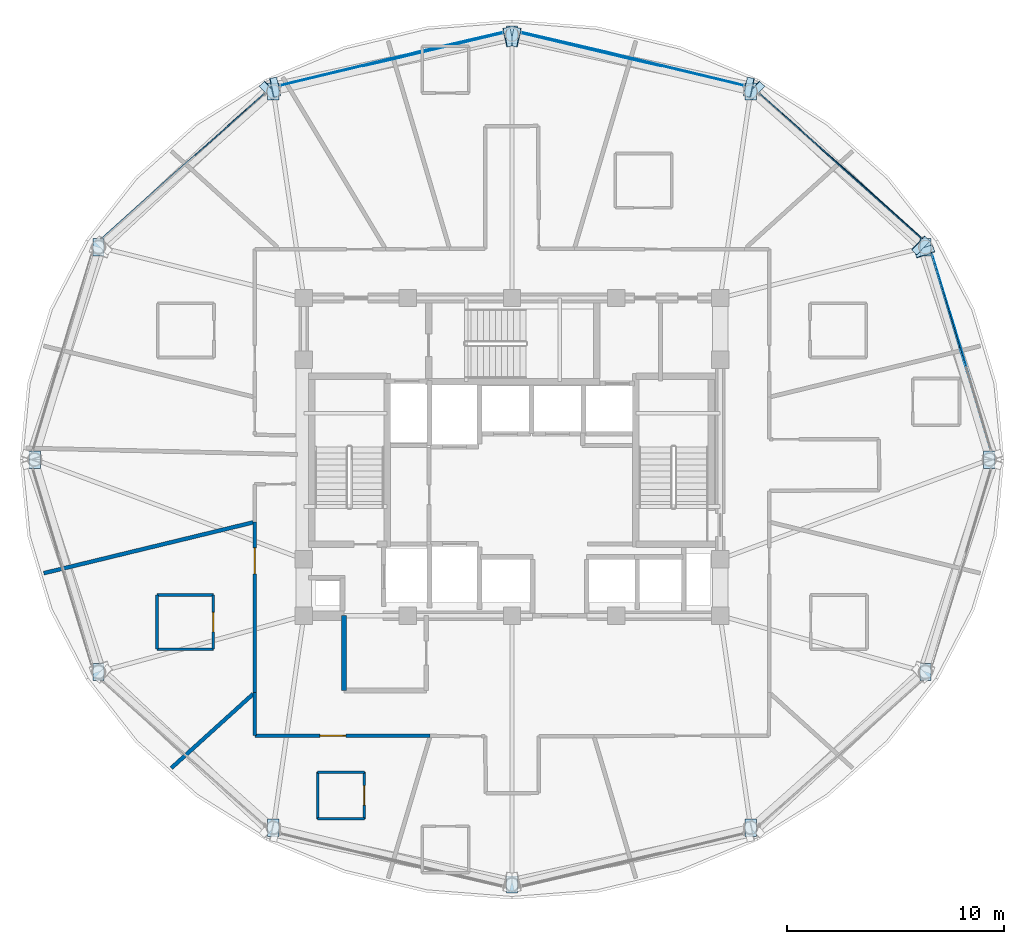
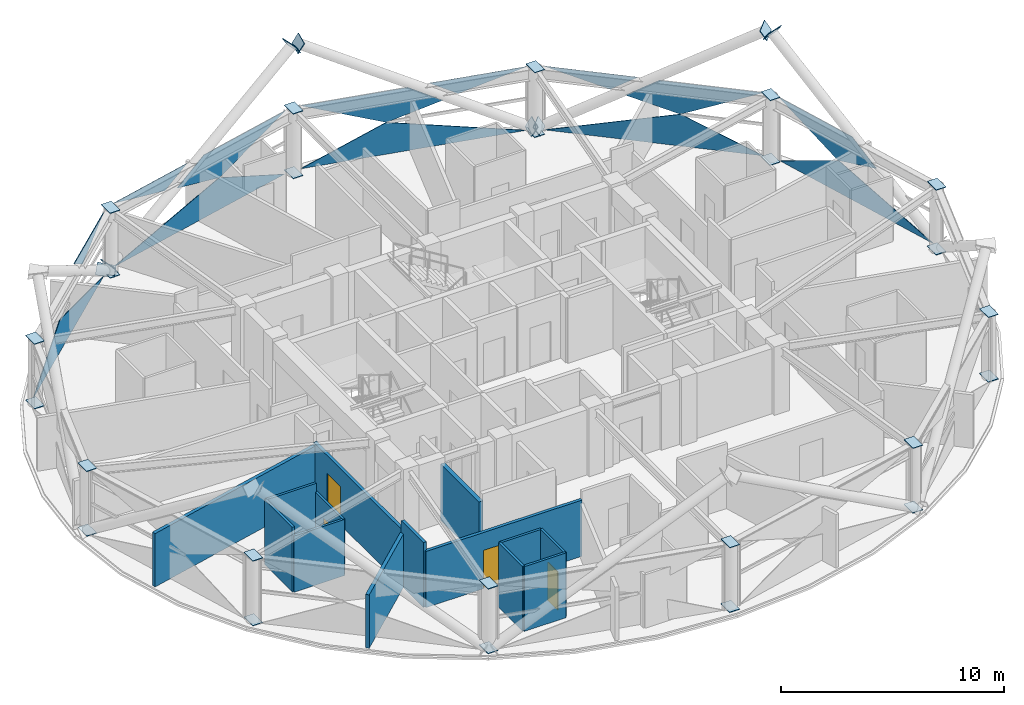
# One storey, part 21 of 29: 45 plates, 14 walls, 4 doors, 4 openings, 5 elements without a shape of their own.
"""IFC4 building model written with IfcOpenShell, lengths in metres."""

from ifc_helpers import new_model, si_unit, direction, frame, frame_2d, origin, place, context, subcontext, project, spatial, polyline, rectangle, outline, extrude, material, layer, layer_set, type_object, element, fill, aggregate, save


model = new_model("IFC4")

# Units and contexts
model_context = context("Model", 3, precision=1e-05, world=origin(), true_north=direction((0.0, 1.0)))
body_context = subcontext(model_context, "Body", "Model", "MODEL_VIEW")
ifc_project = project(units=[si_unit("LENGTHUNIT", "METRE"), si_unit("AREAUNIT", "SQUARE_METRE"), si_unit("VOLUMEUNIT", "CUBIC_METRE"), si_unit("PLANEANGLEUNIT", "RADIAN"), si_unit("MASSUNIT", "GRAM", prefix="KILO")], contexts=[model_context])

# Site, building, storey
site_placement = place(None, origin())
site = spatial("IfcSite", under=ifc_project, at=site_placement, CompositionType="ELEMENT")
building_placement = place(site_placement, origin())
building = spatial("IfcBuilding", under=site, at=building_placement, Name="Vantalir Tower", CompositionType="ELEMENT")
storey_placement = place(building_placement, frame((0.0, 0.0, 227.39990234375)))
storey = spatial("IfcBuildingStorey", under=building, at=storey_placement, Name="L57", CompositionType="ELEMENT", Elevation=227.39990234375)

# Curtain wall, plates
ifc_material_1 = material(Name="Champagne-silver PVDF aluminium and double-silver Low-E glass", Category="aluminium")
ifc_layer_1 = layer(ifc_material_1, 0.2099609375)
ifc_layer_set_1 = layer_set([ifc_layer_1], Name="Champagne-silver PVDF aluminium and double-silver Low-E glass")
curtain_wall_type = type_object("IfcCurtainWallType", Name="CW-DIAMOND-Z3", PredefinedType="USERDEFINED", material=ifc_layer_set_1)
curtain_wall_1_placement = place(storey_placement, origin())
curtain_wall_1 = element("IfcCurtainWall", 1, at=curtain_wall_1_placement, inside=storey, type_object=curtain_wall_type, Name="L57 Quilted Pyramid-Diamond Curtain Wall S01", ObjectType="UNITISED CURTAIN WALL", PredefinedType="USERDEFINED")
ifc_material_2 = material(Name="Double-silver Low-E acoustic glass IGU", Category="glass")
ifc_layer_2 = layer(ifc_material_2, 0.031982421875)
ifc_layer_set_2 = layer_set([ifc_layer_2], Name="Double-silver Low-E acoustic glass IGU")
plate_type_1 = type_object("IfcPlateType", Name="CWP-IGU-32", PredefinedType="CURTAIN_PANEL", material=ifc_layer_set_2)
plate_1_placement = place(storey_placement, frame((53.58056640625, 25.406982421875, 0.046875), z_axis=(-0.957545460034, -0.287948928144, 0.01386025788), x_axis=(-0.287976248669, 0.957637551237, 2.5751252e-05)))
plate_1 = element("IfcPlate", 2, at=plate_1_placement, type_object=plate_type_1, Name="CW-L57-S01 Pyramid Diamond Facet 1L", PredefinedType="CURTAIN_PANEL", context=body_context, shape_type="SweptSolid", body=[
    extrude(outline(polyline([(0.0, 0.0), (9.48072843506402, -3.2255014631443757e-18), (5.873310412618822, -1.725600450684051), (0.0, 0.0)])), origin(), (0.0, 0.0, -1.0), 0.031982421875),
])
plate_2_placement = place(storey_placement, frame((52.14208984375, 30.19091796875, 3.523193359375), z_axis=(0.957546657099, 0.287948373961, 0.013788887243), x_axis=(-0.28797575716, 0.957637699387, 3.77998e-07)))
plate_2 = element("IfcPlate", 3, at=plate_2_placement, type_object=plate_type_1, Name="CW-L57-S01 Pyramid Diamond Facet 2U", PredefinedType="CURTAIN_PANEL", context=body_context, shape_type="SweptSolid", body=[
    extrude(outline(polyline([(0.0, 0.0), (4.4852050235488266, -6.938893903907228e-18), (0.8777419302069833, -1.7257503384835624), (-1.4816241104212386, -1.0323224512100289), (0.0, 0.0)])), origin(), (0.0, 0.0, -1.0), 0.031982421875),
])
aggregate(curtain_wall_1, [plate_1, plate_2])

curtain_wall_2_placement = place(storey_placement, origin())
curtain_wall_2 = element("IfcCurtainWall", 4, at=curtain_wall_2_placement, inside=storey, type_object=curtain_wall_type, Name="L57 Quilted Pyramid-Diamond Curtain Wall S02", ObjectType="UNITISED CURTAIN WALL", PredefinedType="USERDEFINED")
plate_3_placement = place(storey_placement, frame((50.410888671875, 35.17578125, 0.046875), z_axis=(-0.665261450361, -0.746487707124, 0.01353904634), x_axis=(-0.746556353236, 0.66532218575, -2.4328891e-05)))
plate_3 = element("IfcPlate", 5, at=plate_3_placement, type_object=plate_type_1, Name="CW-L57-S02 Pyramid Diamond Facet 1L", PredefinedType="CURTAIN_PANEL", context=body_context, shape_type="SweptSolid", body=[
    extrude(outline(polyline([(0.0, 0.0), (10.035008323591855, -5.421010862427522e-18), (3.8142440704748686, -1.7260810825309927), (0.0, 0.0)])), origin(), (0.0, 0.0, -1.0), 0.031982421875),
])
plate_4_placement = place(storey_placement, frame((50.410888671875, 35.17578125, 3.523193359375), z_axis=(0.665262064196, 0.746486630104, 0.01356823557), x_axis=(-0.746555814047, 0.665322789245, 5.1223741e-05)))
plate_4 = element("IfcPlate", 6, at=plate_4_placement, type_object=plate_type_1, Name="CW-L57-S02 Pyramid Diamond Facet 2U", PredefinedType="CURTAIN_PANEL", context=body_context, shape_type="SweptSolid", body=[
    extrude(outline(polyline([(0.0, 0.0), (4.780694530044122, 5.366800753803247e-18), (6.328498289205483, -1.0284950183738557), (3.814197669569238, -1.7261836133697854), (0.0, 0.0)])), origin(), (0.0, 0.0, -1.0), 0.031982421875),
])
plate_5_placement = place(storey_placement, frame((46.124267578125, 39.044189453125, 3.52392578125), z_axis=(0.665254505204, 0.746492094627, 0.013638033728), x_axis=(-0.746561526571, 0.665316381163, 0.0)))
plate_5 = element("IfcPlate", 7, at=plate_5_placement, type_object=plate_type_1, Name="CW-L57-S02 Pyramid Diamond Facet 2U Infill Light", PredefinedType="CURTAIN_PANEL", context=body_context, shape_type="SweptSolid", body=[
    extrude(outline(polyline([(0.0, 0.0), (4.261071901681196, 3.469446951953614e-18), (1.255429615840343, -0.8340619446847813), (0.0, 0.0)])), origin(), (0.0, 0.0, -1.0), 0.031982421875),
])
aggregate(curtain_wall_2, [plate_3, plate_4, plate_5])

curtain_wall_3_placement = place(storey_placement, origin())
curtain_wall_3 = element("IfcCurtainWall", 8, at=curtain_wall_3_placement, inside=storey, type_object=curtain_wall_type, Name="L57 Quilted Pyramid-Diamond Curtain Wall S03", ObjectType="UNITISED CURTAIN WALL", PredefinedType="USERDEFINED")
plate_6_placement = place(storey_placement, frame((42.188720703125, 42.233642578125, 0.046630859375), z_axis=(-0.232233400525, -0.972562501405, 0.013777827875), x_axis=(-0.972654750392, 0.232255755594, 2.3110025e-05)))
plate_6 = element("IfcPlate", 9, at=plate_6_placement, type_object=plate_type_1, Name="CW-L57-S03 Pyramid Diamond Facet 1L", PredefinedType="CURTAIN_PANEL", context=body_context, shape_type="SweptSolid", body=[
    extrude(outline(polyline([(0.0, 0.0), (10.56427331575007, 4.363913744254155e-18), (6.544886132642092, -1.726330968572304), (0.0, 0.0)])), origin(), (0.0, 0.0, -1.0), 0.031982421875),
])
plate_7_placement = place(storey_placement, frame((36.79296875, 43.522216796875, 3.5234375), z_axis=(0.232205460143, 0.972570124349, 0.013710488852), x_axis=(-0.972661547861, 0.232227288047, -9.409e-09)))
plate_7 = element("IfcPlate", 10, at=plate_7_placement, type_object=plate_type_1, Name="CW-L57-S03 Pyramid Diamond Facet 2U", PredefinedType="CURTAIN_PANEL", context=body_context, shape_type="SweptSolid", body=[
    extrude(outline(polyline([(0.0, 0.0), (5.016790765538966, 0.0), (0.997363013564254, -1.726480627377524), (-1.6351668089487708, -1.0318353293099114), (0.0, 0.0)])), origin(), (0.0, 0.0, -1.0), 0.031982421875),
])
plate_8_placement = place(storey_placement, frame((42.197021484375, 42.268798828125, 3.524169921875), z_axis=(0.232223843527, 0.97256551414, 0.013726150325), x_axis=(-0.972656972527, 0.232246444263, -5.4048509e-05)))
plate_8 = element("IfcPlate", 11, at=plate_8_placement, type_object=plate_type_1, Name="CW-L57-S03 Pyramid Diamond Facet 2U Infill Light", PredefinedType="CURTAIN_PANEL", context=body_context, shape_type="SweptSolid", body=[
    extrude(outline(polyline([(0.0, 0.0), (4.517064917638603, 9.215718466126788e-19), (3.185276819383623, -0.8402390302850273), (0.0, 0.0)])), origin(), (0.0, 0.0, -1.0), 0.031982421875),
])
aggregate(curtain_wall_3, [plate_6, plate_7, plate_8])

curtain_wall_4_placement = place(storey_placement, origin())
curtain_wall_4 = element("IfcCurtainWall", 12, at=curtain_wall_4_placement, inside=storey, type_object=curtain_wall_type, Name="L57 Quilted Pyramid-Diamond Curtain Wall S04", ObjectType="UNITISED CURTAIN WALL", PredefinedType="USERDEFINED")
plate_9_placement = place(storey_placement, frame((31.086669921875, 44.687255859375, 0.046875), z_axis=(0.232254227712, -0.972557284976, 0.013794968273), x_axis=(-0.972649763247, -0.232276640068, -2.3112103e-05)))
plate_9 = element("IfcPlate", 13, at=plate_9_placement, type_object=plate_type_1, Name="CW-L57-S04 Pyramid Diamond Facet 1L", PredefinedType="CURTAIN_PANEL", context=body_context, shape_type="SweptSolid", body=[
    extrude(outline(polyline([(0.0, 0.0), (10.563323460030409, -3.984442983884229e-18), (4.01914920456748, -1.7263313794420976), (0.0, 0.0)])), origin(), (0.0, 0.0, -1.0), 0.031982421875),
])
plate_10_placement = place(storey_placement, frame((31.086669921875, 44.687255859375, 3.5234375), z_axis=(-0.232225156725, 0.972565123829, 0.013731587483), x_axis=(-0.972656828404, -0.232247054147, 4.0776e-08)))
plate_10 = element("IfcPlate", 14, at=plate_10_placement, type_object=plate_type_1, Name="CW-L57-S04 Pyramid Diamond Facet 2U", PredefinedType="CURTAIN_PANEL", context=body_context, shape_type="SweptSolid", body=[
    extrude(outline(polyline([(0.0, 0.0), (5.016315834481026, -1.734723475976807e-18), (6.651482323168929, -1.0318358367307474), (4.019189750985949, -1.7264810960017063), (0.0, 0.0)])), origin(), (0.0, 0.0, -1.0), 0.031982421875),
])
plate_11_placement = place(storey_placement, frame((25.197021484375, 43.31787109375, 3.52392578125), z_axis=(-0.23224835199, 0.972560052169, 0.013698464249), x_axis=(-0.972651141026, -0.232270865455, 5.4054193e-05)))
plate_11 = element("IfcPlate", 15, at=plate_11_placement, type_object=plate_type_1, Name="CW-L57-S04 Pyramid Diamond Facet 2U Infill Light", PredefinedType="CURTAIN_PANEL", context=body_context, shape_type="SweptSolid", body=[
    extrude(outline(polyline([(0.0, 0.0), (4.5165899888998675, -7.047314121155779e-19), (1.3315503398284894, -0.8402387059536571), (0.0, 0.0)])), origin(), (0.0, 0.0, -1.0), 0.031982421875),
])
aggregate(curtain_wall_4, [plate_9, plate_10, plate_11])

curtain_wall_5_placement = place(storey_placement, origin())
curtain_wall_5 = element("IfcCurtainWall", 16, at=curtain_wall_5_placement, inside=storey, type_object=curtain_wall_type, Name="L57 Quilted Pyramid-Diamond Curtain Wall S05", ObjectType="UNITISED CURTAIN WALL", PredefinedType="USERDEFINED")
plate_12_placement = place(storey_placement, frame((20.081787109375, 41.852294921875, 0.046630859375), z_axis=(0.665212679287, -0.746530278981, 0.01358800501), x_axis=(-0.746599425628, -0.665273851178, 2.4327124e-05)))
plate_12 = element("IfcPlate", 17, at=plate_12_placement, type_object=plate_type_1, Name="CW-L57-S05 Pyramid Diamond Facet 1L", PredefinedType="CURTAIN_PANEL", context=body_context, shape_type="SweptSolid", body=[
    extrude(outline(polyline([(0.0, 0.0), (10.035737403562766, -2.846030702774449e-18), (6.2213125757566905, -1.7260822266056934), (0.0, 0.0)])), origin(), (0.0, 0.0, -1.0), 0.031982421875),
])
plate_13_placement = place(storey_placement, frame((20.057861328125, 41.879150390625, 3.52392578125), z_axis=(-0.665225528264, 0.746516866931, 0.013695398269), x_axis=(-0.746586886601, -0.6652879232, 0.0)))
plate_13 = element("IfcPlate", 18, at=plate_13_placement, type_object=plate_type_1, Name="CW-L57-S05 Pyramid Diamond Facet 2U Infill Light", PredefinedType="CURTAIN_PANEL", context=body_context, shape_type="SweptSolid", body=[
    extrude(outline(polyline([(0.0, 0.0), (4.2612541707746665, 0.0), (3.0058249894380205, -0.8340625986991561), (0.0, 0.0)])), origin(), (0.0, 0.0, -1.0), 0.031982421875),
])
aggregate(curtain_wall_5, [plate_12, plate_13])

# Plates
ifc_material_3 = material(Name="Steel S460", Category="steel")
ifc_layer_3 = layer(ifc_material_3, 0.035888671875)
ifc_layer_set_3 = layer_set([ifc_layer_3], Name="Steel S460")
plate_type_2 = type_object("IfcPlateType", Name="PLT-KN-Z2", PredefinedType="USERDEFINED", material=ifc_layer_set_3)
plate_14_placement = place(storey_placement, frame((50.88818359375, 34.906982421875, 6.892333984375), z_axis=(-0.257750888364, 0.779172738501, 0.571361814549), x_axis=(-0.949402175755, -0.314062905597, 0.0)))
element("IfcPlate", 19, at=plate_14_placement, inside=storey, type_object=plate_type_2, Name="Node Cap Plate MEM-DG-L57-R01L End", ObjectType="FLANGE_PLATE", PredefinedType="USERDEFINED", context=body_context, shape_type="SweptSolid", body=[
    extrude(outline(polyline([(0.0, 0.0), (0.8799739879318283, -2.7755575615628914e-17), (0.8800671906768364, 0.5800843340228916), (9.320274500808357e-05, 0.5800843340228916), (0.0, 0.0)])), origin(), (0.0, 0.0, -1.0), 0.035888671875),
])
plate_15_placement = place(storey_placement, frame((42.354736328125, 42.63818359375, -0.043701171875), z_axis=(-0.826999706118, 0.177884726798, 0.533318394631), x_axis=(-0.210286865071, -0.977639726269, 0.0)))
element("IfcPlate", 20, at=plate_15_placement, inside=storey, type_object=plate_type_2, Name="Node Cap Plate MEM-DG-L57-R07L Start", ObjectType="FLANGE_PLATE", PredefinedType="USERDEFINED", context=body_context, shape_type="SweptSolid", body=[
    extrude(outline(polyline([(0.0, 0.0), (0.8800292575914275, 0.0), (0.879908833119745, 0.5801089888917188), (-0.00012042447168256925, 0.5801089888917188), (0.0, 0.0)])), origin(), (0.0, 0.0, -1.0), 0.035888671875),
])
plate_16_placement = place(storey_placement, frame((31.60009765625, 44.951416015625, 6.892333984375), z_axis=(-0.826974999812, 0.177904654422, 0.533350057299), x_axis=(-0.210323501094, -0.977631845182, -1.3165289e-05)))
element("IfcPlate", 21, at=plate_16_placement, inside=storey, type_object=plate_type_2, Name="Node Cap Plate MEM-DG-L57-R07L End", ObjectType="FLANGE_PLATE", PredefinedType="USERDEFINED", context=body_context, shape_type="SweptSolid", body=[
    extrude(outline(polyline([(0.0, 0.0), (0.8797905772475425, 0.0), (0.879890778072063, 0.5801363738457217), (-0.0001384788251822281, 0.5801089844563846), (0.0, 0.0)])), origin(), (0.0, 0.0, -1.0), 0.035888671875),
])
for number, where, z_axis, x_axis, name in (
    (22, (42.556884765625, 41.574462890625, -0.035400390625), (0.607981473894, -0.569606977823, 0.553088074557), (0.683701112547, 0.729762145292, 0.0), "Node Cap Plate MEM-DG-L57-R07R Start"),
    (23, (50.172607421875, 34.439697265625, 6.892333984375), (0.607981473894, -0.569606977823, 0.553088074557), (0.683701112547, 0.729762145292, 0.0), "Node Cap Plate MEM-DG-L57-R07R End"),
):
    element("IfcPlate", number, at=place(storey_placement, frame(where, z_axis=z_axis, x_axis=x_axis)), inside=storey, type_object=plate_type_2, Name=name, ObjectType="FLANGE_PLATE", PredefinedType="USERDEFINED", context=body_context, shape_type="SweptSolid", body=[
        extrude(outline(polyline([(0.0, 0.0), (0.8798618123621171, 2.7755575615628914e-17), (0.8797780817808971, 0.5799316777475564), (-8.373058122002064e-05, 0.5799316777475564), (0.0, 0.0)])), origin(), (0.0, 0.0, -1.0), 0.035888671875),
    ])
plate_17_placement = place(storey_placement, frame((19.842529296875, 42.216552734375, -0.035400390625), z_axis=(-0.607981473894, -0.569606977823, 0.553088074557), x_axis=(0.683701112547, -0.729762145292, 0.0)))
element("IfcPlate", 24, at=plate_17_placement, inside=storey, type_object=plate_type_2, Name="Node Cap Plate MEM-DG-L57-R13L Start", ObjectType="FLANGE_PLATE", PredefinedType="USERDEFINED", context=body_context, shape_type="SweptSolid", body=[
    extrude(outline(polyline([(0.0, 0.0), (0.8798618123621171, -2.7755575615628914e-17), (0.8799455429433372, 0.5799316777475563), (8.373058122002064e-05, 0.5799316777475564), (0.0, 0.0)])), origin(), (0.0, 0.0, -1.0), 0.035888671875),
])
plate_18_placement = place(storey_placement, frame((20.831298828125, 41.77783203125, -0.043701171875), z_axis=(0.826999706118, 0.177884726798, 0.533318394631), x_axis=(-0.210286865071, 0.977639726269, 0.0)))
element("IfcPlate", 25, at=plate_18_placement, inside=storey, type_object=plate_type_2, Name="Node Cap Plate MEM-DG-L57-R13R Start", ObjectType="FLANGE_PLATE", PredefinedType="USERDEFINED", context=body_context, shape_type="SweptSolid", body=[
    extrude(outline(polyline([(0.0, 0.0), (0.8800292575914275, 0.0), (0.8801496820631101, 0.5801089888917188), (0.00012042447168256925, 0.5801089888917188), (0.0, 0.0)])), origin(), (0.0, 0.0, -1.0), 0.035888671875),
])
plate_19_placement = place(storey_placement, frame((31.5849609375, 44.09130859375, 6.892333984375), z_axis=(0.826974999812, 0.177904654422, 0.533350057299), x_axis=(-0.210323501094, 0.977631845182, 1.3165289e-05)))
element("IfcPlate", 26, at=plate_19_placement, inside=storey, type_object=plate_type_2, Name="Node Cap Plate MEM-DG-L57-R13R End", ObjectType="FLANGE_PLATE", PredefinedType="USERDEFINED", context=body_context, shape_type="SweptSolid", body=[
    extrude(outline(polyline([(0.0, 0.0), (0.8797905772475425, 0.0), (0.8799290560727246, 0.5801089844563847), (-0.000100200824520458, 0.5801363738457217), (0.0, 0.0)])), origin(), (0.0, 0.0, -1.0), 0.035888671875),
])
ifc_layer_4 = layer(ifc_material_3, 0.031982421875)
ifc_layer_set_4 = layer_set([ifc_layer_4], Name="Steel S460")
plate_type_3 = type_object("IfcPlateType", Name="PLT-KN-Z3", PredefinedType="USERDEFINED", material=ifc_layer_set_4)
for number, where, z_axis, x_axis, name in (
    (27, (53.2529296875, 25.39990234375, 3.593994140625), (0.0, 0.0, 1.0), (0.0, -1.0, 0.0), "L57 Ring Column Top Cap RC01"),
    (28, (53.2529296875, 25.39990234375, 0.052978515625), (0.0, 0.0, 1.0), (0.0, -1.0, 0.0), "L57 Ring Column Base Cap RC01"),
):
    element("IfcPlate", number, at=place(storey_placement, frame(where, z_axis=z_axis, x_axis=x_axis)), inside=storey, type_object=plate_type_3, Name=name, ObjectType="FLANGE_PLATE", PredefinedType="USERDEFINED", context=body_context, shape_type="SweptSolid", body=[
        extrude(outline(polyline([(0.0, 0.0), (0.7998046875, 0.0), (0.7998046875, 0.52001953125), (0.0, 0.52001953125), (0.0, 0.0)])), origin(), (0.0, 0.0, -1.0), 0.031982421875),
    ])
for number, where, z_axis, x_axis, name in (
    (29, (50.303955078125, 35.197998046875, 3.593994140625), (0.0, 0.0, 1.0), (0.0, -1.0, 0.0), "L57 Ring Column Top Cap RC02"),
    (30, (50.303955078125, 35.197998046875, 0.052978515625), (0.0, 0.0, 1.0), (0.0, -1.0, 0.0), "L57 Ring Column Base Cap RC02"),
    (31, (42.24609375, 42.37109375, 3.593994140625), (0.0, 0.0, 1.0), (0.0, -1.0, 0.0), "L57 Ring Column Top Cap RC03"),
    (32, (42.24609375, 42.37109375, 0.052978515625), (0.0, 0.0, 1.0), (0.0, -1.0, 0.0), "L57 Ring Column Base Cap RC03"),
    (33, (31.239990234375, 44.99609375, 3.593994140625), (0.0, 0.0, 1.0), (0.0, -1.0, 0.0), "L57 Ring Column Top Cap RC04"),
    (34, (31.239990234375, 44.99609375, 0.052978515625), (0.0, 0.0, 1.0), (0.0, -1.0, 0.0), "L57 Ring Column Base Cap RC04"),
    (35, (20.23388671875, 42.37109375, 3.593994140625), (0.0, 0.0, 1.0), (0.0, -1.0, 0.0), "L57 Ring Column Top Cap RC05"),
    (36, (20.23388671875, 42.37109375, 0.052978515625), (0.0, 0.0, 1.0), (0.0, -1.0, 0.0), "L57 Ring Column Base Cap RC05"),
    (37, (12.176025390625, 35.197998046875, 3.593994140625), (0.0, 0.0, 1.0), (0.0, -1.0, 0.0), "L57 Ring Column Top Cap RC06"),
    (38, (12.176025390625, 35.197998046875, 0.052978515625), (0.0, 0.0, 1.0), (0.0, -1.0, 0.0), "L57 Ring Column Base Cap RC06"),
):
    element("IfcPlate", number, at=place(storey_placement, frame(where, z_axis=z_axis, x_axis=x_axis)), inside=storey, type_object=plate_type_3, Name=name, ObjectType="FLANGE_PLATE", PredefinedType="USERDEFINED", context=body_context, shape_type="SweptSolid", body=[
        extrude(outline(polyline([(0.0, 0.0), (0.800048828125, 0.0), (0.800048828125, 0.52001953125), (0.0, 0.52001953125), (0.0, 0.0)])), origin(), (0.0, 0.0, -1.0), 0.031982421875),
    ])
for number, where, z_axis, x_axis, name in (
    (39, (9.22705078125, 25.39990234375, 3.593994140625), (0.0, 0.0, 1.0), (0.0, -1.0, 0.0), "L57 Ring Column Top Cap RC07"),
    (40, (9.22705078125, 25.39990234375, 0.052978515625), (0.0, 0.0, 1.0), (0.0, -1.0, 0.0), "L57 Ring Column Base Cap RC07"),
):
    element("IfcPlate", number, at=place(storey_placement, frame(where, z_axis=z_axis, x_axis=x_axis)), inside=storey, type_object=plate_type_3, Name=name, ObjectType="FLANGE_PLATE", PredefinedType="USERDEFINED", context=body_context, shape_type="SweptSolid", body=[
        extrude(outline(polyline([(0.0, 0.0), (0.7998046875, 0.0), (0.7998046875, 0.52001953125), (0.0, 0.52001953125), (0.0, 0.0)])), origin(), (0.0, 0.0, -1.0), 0.031982421875),
    ])
for number, where, z_axis, x_axis, name in (
    (41, (12.176025390625, 15.60205078125, 3.593994140625), (0.0, 0.0, 1.0), (0.0, -1.0, 0.0), "L57 Ring Column Top Cap RC08"),
    (42, (12.176025390625, 15.60205078125, 0.052978515625), (0.0, 0.0, 1.0), (0.0, -1.0, 0.0), "L57 Ring Column Base Cap RC08"),
    (43, (20.23291015625, 8.428955078125, 3.593994140625), (0.0, 0.0, 1.0), (0.0, -1.0, 0.0), "L57 Ring Column Top Cap RC09"),
    (44, (20.23291015625, 8.428955078125, 0.052978515625), (0.0, 0.0, 1.0), (0.0, -1.0, 0.0), "L57 Ring Column Base Cap RC09"),
    (45, (31.239990234375, 5.803955078125, 3.593994140625), (0.0, 0.0, 1.0), (0.0, -1.0, 0.0), "L57 Ring Column Top Cap RC10"),
    (46, (31.239990234375, 5.803955078125, 0.052978515625), (0.0, 0.0, 1.0), (0.0, -1.0, 0.0), "L57 Ring Column Base Cap RC10"),
    (47, (42.24609375, 8.428955078125, 3.593994140625), (0.0, 0.0, 1.0), (0.0, -1.0, 0.0), "L57 Ring Column Top Cap RC11"),
    (48, (42.24609375, 8.428955078125, 0.052978515625), (0.0, 0.0, 1.0), (0.0, -1.0, 0.0), "L57 Ring Column Base Cap RC11"),
    (49, (50.303955078125, 15.60205078125, 3.593994140625), (0.0, 0.0, 1.0), (0.0, -1.0, 0.0), "L57 Ring Column Top Cap RC12"),
    (50, (50.303955078125, 15.60205078125, 0.052978515625), (0.0, 0.0, 1.0), (0.0, -1.0, 0.0), "L57 Ring Column Base Cap RC12"),
):
    element("IfcPlate", number, at=place(storey_placement, frame(where, z_axis=z_axis, x_axis=x_axis)), inside=storey, type_object=plate_type_3, Name=name, ObjectType="FLANGE_PLATE", PredefinedType="USERDEFINED", context=body_context, shape_type="SweptSolid", body=[
        extrude(outline(polyline([(0.0, 0.0), (0.800048828125, 0.0), (0.800048828125, 0.52001953125), (0.0, 0.52001953125), (0.0, 0.0)])), origin(), (0.0, 0.0, -1.0), 0.031982421875),
    ])

# Walls
ifc_material_4 = material(Name="Moisture-resistant en-suite partition", Category="gypsum")
ifc_layer_5 = layer(ifc_material_4, 0.125)
ifc_layer_set_5 = layer_set([ifc_layer_5], Name="Moisture-resistant en-suite partition")
wall_type_1 = type_object("IfcWallType", Name="WL-BATH-125", PredefinedType="PARTITIONING", material=ifc_layer_set_5)
wall_1_placement = place(storey_placement, frame((15.125, 16.256103515625, 0.0), z_axis=(0.0, 0.0, 1.0), x_axis=(1.0, 0.0, 0.0)))
element("IfcWall", 51, at=wall_1_placement, inside=storey, type_object=wall_type_1, Name="L57 En-suite 09 South Wall", PredefinedType="PARTITIONING", context=body_context, shape_type="SweptSolid", body=[
    extrude(rectangle(XDim=2.60009765625, YDim=0.125, at=frame_2d((1.300048828125, 0.0))), origin(), (0.0, 0.0, 1.0), 3.0810546875),
])
wall_2_placement = place(storey_placement, frame((15.125, 18.756103515625, 0.0), z_axis=(0.0, 0.0, 1.0), x_axis=(1.0, 0.0, 0.0)))
element("IfcWall", 52, at=wall_2_placement, inside=storey, type_object=wall_type_1, Name="L57 En-suite 09 North Wall", PredefinedType="PARTITIONING", context=body_context, shape_type="SweptSolid", body=[
    extrude(rectangle(XDim=2.60009765625, YDim=0.125, at=frame_2d((1.300048828125, 0.0))), origin(), (0.0, 0.0, 1.0), 3.550048828125),
])
wall_3_placement = place(storey_placement, frame((15.125, 16.256103515625, 0.0), z_axis=(0.0, 0.0, 1.0), x_axis=(0.0, 1.0, 0.0)))
element("IfcWall", 53, at=wall_3_placement, inside=storey, type_object=wall_type_1, Name="L57 En-suite 09 West Wall", PredefinedType="PARTITIONING", context=body_context, shape_type="SweptSolid", body=[
    extrude(rectangle(XDim=2.5, YDim=0.125, at=frame_2d((1.25, 0.0))), origin(), (0.0, 0.0, 1.0), 3.550048828125),
])

# Wall, opening, door
wall_4_placement = place(storey_placement, frame((17.72509765625, 16.256103515625, 0.0), z_axis=(0.0, 0.0, 1.0), x_axis=(0.0, 1.0, 0.0)))
wall_4 = element("IfcWall", 54, at=wall_4_placement, inside=storey, type_object=wall_type_1, Name="L57 En-suite 09 East Wall", PredefinedType="PARTITIONING", context=body_context, shape_type="SweptSolid", body=[
    extrude(rectangle(XDim=2.5, YDim=0.125, at=frame_2d((1.25, 0.0))), origin(), (0.0, 0.0, 1.0), 3.0810546875),
])
opening_1_placement = place(wall_4_placement, frame((0.800048828125, 0.0, 0.0)))
opening_1 = element("IfcOpeningElement", 55, at=opening_1_placement, cuts=wall_4, Name="Opening D-WC", PredefinedType="OPENING", context=body_context, shape_type="SweptSolid", body=[
    extrude(rectangle(XDim=0.89990234375, YDim=2.10009765625, at=frame_2d((0.449951171875, 1.050048828125))), frame((0.0, 0.072509765625, 0.0), z_axis=(0.0, -1.0, 0.0), x_axis=(1.0, 0.0, 0.0)), (0.0, 0.0, 1.0), 0.14501953125),
])
ifc_material_5 = material(Name="Moisture-resistant hardwood door", Category="wood")
door_type_1 = type_object("IfcDoorType", Name="DR-ENSUITE-900", OperationType="NOTDEFINED", PredefinedType="DOOR", material=ifc_material_5)
door_1_placement = place(opening_1_placement, origin())
door_1 = element("IfcDoor", 56, at=door_1_placement, inside=storey, type_object=door_type_1, Name="L57 En-suite 09 Door", OperationType="SINGLE_SWING_LEFT", OverallHeight=2.10009765625, OverallWidth=0.89990234375, PredefinedType="DOOR", context=body_context, shape_type="SweptSolid", body=[
    extrude(rectangle(XDim=0.89990234375, YDim=2.10009765625, at=frame_2d((0.449951171875, 1.050048828125))), frame((0.0, 0.02490234375, 0.0), z_axis=(0.0, -1.0, 0.0), x_axis=(1.0, 0.0, 0.0)), (0.0, 0.0, 1.0), 0.050048828125),
])
fill(opening_1, door_1)

# Walls
for number, where, z_axis, x_axis, name in (
    (57, (22.5400390625, 8.43603515625, 0.0), (0.0, 0.0, 1.0), (1.0, 0.0, 0.0), "L57 En-suite 10 South Wall"),
    (58, (22.5400390625, 10.5859375, 0.0), (0.0, 0.0, 1.0), (1.0, 0.0, 0.0), "L57 En-suite 10 North Wall"),
    (59, (22.5400390625, 8.43603515625, 0.0), (0.0, 0.0, 1.0), (0.0, 1.0, 0.0), "L57 En-suite 10 West Wall"),
):
    element("IfcWall", number, at=place(storey_placement, frame(where, z_axis=z_axis, x_axis=x_axis)), inside=storey, type_object=wall_type_1, Name=name, PredefinedType="PARTITIONING", context=body_context, shape_type="SweptSolid", body=[
        extrude(rectangle(XDim=2.14990234375, YDim=0.125, at=frame_2d((1.074951171875, 0.0))), origin(), (0.0, 0.0, 1.0), 3.550048828125),
    ])

# Wall, opening, door
wall_5_placement = place(storey_placement, frame((24.68994140625, 8.43603515625, 0.0), z_axis=(0.0, 0.0, 1.0), x_axis=(0.0, 1.0, 0.0)))
wall_5 = element("IfcWall", 60, at=wall_5_placement, inside=storey, type_object=wall_type_1, Name="L57 En-suite 10 East Wall", PredefinedType="PARTITIONING", context=body_context, shape_type="SweptSolid", body=[
    extrude(rectangle(XDim=2.14990234375, YDim=0.125, at=frame_2d((1.074951171875, 0.0))), origin(), (0.0, 0.0, 1.0), 3.550048828125),
])
opening_2_placement = place(wall_5_placement, frame((0.625, 0.0, 0.0)))
opening_2 = element("IfcOpeningElement", 61, at=opening_2_placement, cuts=wall_5, Name="Opening D-WC", PredefinedType="OPENING", context=body_context, shape_type="SweptSolid", body=[
    extrude(rectangle(XDim=0.89990234375, YDim=2.10009765625, at=frame_2d((0.449951171875, 1.050048828125))), frame((0.0, 0.072509765625, 0.0), z_axis=(0.0, -1.0, 0.0), x_axis=(1.0, 0.0, 0.0)), (0.0, 0.0, 1.0), 0.14501953125),
])
door_2_placement = place(opening_2_placement, origin())
door_2 = element("IfcDoor", 62, at=door_2_placement, inside=storey, type_object=door_type_1, Name="L57 En-suite 10 Door", OperationType="SINGLE_SWING_RIGHT", OverallHeight=2.10009765625, OverallWidth=0.89990234375, PredefinedType="DOOR", context=body_context, shape_type="SweptSolid", body=[
    extrude(rectangle(XDim=0.89990234375, YDim=2.10009765625, at=frame_2d((0.449951171875, 1.050048828125))), frame((0.0, 0.02490234375, 0.0), z_axis=(0.0, -1.0, 0.0), x_axis=(1.0, 0.0, 0.0)), (0.0, 0.0, 1.0), 0.050048828125),
])
fill(opening_2, door_2)

ifc_material_6 = material(Name="Fire-rated hotel corridor acoustic partition", Category="gypsum")
ifc_layer_6 = layer(ifc_material_6, 0.159912109375)
ifc_layer_set_6 = layer_set([ifc_layer_6], Name="Fire-rated hotel corridor acoustic partition")
wall_type_2 = type_object("IfcWallType", Name="WL-CORR-160", PredefinedType="PARTITIONING", material=ifc_layer_set_6)
wall_6_placement = place(storey_placement, frame((27.72802734375, 12.2548828125, 0.0), z_axis=(0.0, 0.0, 1.0), x_axis=(-0.999998015551, 0.001992208308, 0.0)))
wall_6 = element("IfcWall", 63, at=wall_6_placement, inside=storey, type_object=wall_type_2, Name="L57 Corridor Partition 28", PredefinedType="PARTITIONING", context=body_context, shape_type="SweptSolid", body=[
    extrude(rectangle(XDim=8.088134765625, YDim=0.159912109375, at=frame_2d((4.0439453125, 0.0))), origin(), (0.0, 0.0, 1.0), 3.0810546875),
])
opening_3_placement = place(wall_6_placement, frame((3.89208984375, 0.0, 0.0)))
opening_3 = element("IfcOpeningElement", 64, at=opening_3_placement, cuts=wall_6, Name="Opening D-STE", PredefinedType="OPENING", context=body_context, shape_type="SweptSolid", body=[
    extrude(rectangle(XDim=1.199951171875, YDim=2.10009765625, at=frame_2d((0.60009765625, 1.050048828125))), frame((0.0, 0.08984375, 0.0), z_axis=(0.0, -1.0, 0.0), x_axis=(1.0, 0.0, 0.0)), (0.0, 0.0, 1.0), 0.179931640625),
])
ifc_material_7 = material(Name="Solid-core teak veneer suite entrance door", Category="wood")
door_type_2 = type_object("IfcDoorType", Name="DR-SUITE-ENTRY-1200", OperationType="NOTDEFINED", PredefinedType="DOOR", material=ifc_material_7)
door_3_placement = place(opening_3_placement, origin())
door_3 = element("IfcDoor", 65, at=door_3_placement, inside=storey, type_object=door_type_2, Name="L57 Executive Club Hotel Suite 10 Door", OperationType="SINGLE_SWING_RIGHT", OverallHeight=2.10009765625, OverallWidth=1.199951171875, PredefinedType="DOOR", context=body_context, shape_type="SweptSolid", body=[
    extrude(rectangle(XDim=1.199951171875, YDim=2.10009765625, at=frame_2d((0.60009765625, 1.050048828125))), frame((0.0, 0.02490234375, 0.0), z_axis=(0.0, -1.0, 0.0), x_axis=(1.0, 0.0, 0.0)), (0.0, 0.0, 1.0), 0.050048828125),
])
fill(opening_3, door_3)

# Wall
wall_7_placement = place(storey_placement, frame((19.639892578125, 12.27099609375, 0.0), z_axis=(0.0, 0.0, 1.0), x_axis=(-0.000490978215, 0.99999987947, 0.0)))
element("IfcWall", 66, at=wall_7_placement, inside=storey, type_object=wall_type_2, Name="L57 Corridor Partition 29", PredefinedType="PARTITIONING", context=body_context, shape_type="SweptSolid", body=[
    extrude(rectangle(XDim=1.989013671875, YDim=0.159912109375, at=frame_2d((0.99462890625, 0.0))), origin(), (0.0, 0.0, 1.0), 3.550048828125),
])

# Wall, opening, door
wall_8_placement = place(storey_placement, frame((19.638916015625, 14.260009765625, 0.0), z_axis=(0.0, 0.0, 1.0), x_axis=(-0.000372682356, 0.999999930554, 0.0)))
wall_8 = element("IfcWall", 67, at=wall_8_placement, inside=storey, type_object=wall_type_2, Name="L57 Corridor Partition 30", PredefinedType="PARTITIONING", context=body_context, shape_type="SweptSolid", body=[
    extrude(rectangle(XDim=7.861083984375, YDim=0.159912109375, at=frame_2d((3.9306640625, 0.0))), origin(), (0.0, 0.0, 1.0), 3.0810546875),
])
opening_4_placement = place(wall_8_placement, frame((5.468994140625, 0.0, 0.0)))
opening_4 = element("IfcOpeningElement", 68, at=opening_4_placement, cuts=wall_8, Name="Opening D-STE", PredefinedType="OPENING", context=body_context, shape_type="SweptSolid", body=[
    extrude(rectangle(XDim=1.199951171875, YDim=2.10009765625, at=frame_2d((0.60009765625, 1.050048828125))), frame((0.0, 0.08984375, 0.0), z_axis=(0.0, -1.0, 0.0), x_axis=(1.0, 0.0, 0.0)), (0.0, 0.0, 1.0), 0.179931640625),
])
door_4_placement = place(opening_4_placement, origin())
door_4 = element("IfcDoor", 69, at=door_4_placement, inside=storey, type_object=door_type_2, Name="L57 Corner Panorama Hotel Suite 09 Door", OperationType="SINGLE_SWING_LEFT", OverallHeight=2.10009765625, OverallWidth=1.199951171875, PredefinedType="DOOR", context=body_context, shape_type="SweptSolid", body=[
    extrude(rectangle(XDim=1.199951171875, YDim=2.10009765625, at=frame_2d((0.60009765625, 1.050048828125))), frame((0.0, 0.02490234375, 0.0), z_axis=(0.0, -1.0, 0.0), x_axis=(1.0, 0.0, 0.0)), (0.0, 0.0, 1.0), 0.050048828125),
])
fill(opening_4, door_4)

# Walls
ifc_material_8 = material(Name="Concrete blockwork with fireboard lining", Category="masonry")
ifc_layer_7 = layer(ifc_material_8, 0.219970703125)
ifc_layer_set_7 = layer_set([ifc_layer_7], Name="Concrete blockwork with fireboard lining")
wall_type_3 = type_object("IfcWallType", Name="WL-FFL-220", PredefinedType="PARTITIONING", material=ifc_layer_set_7)
wall_9_placement = place(storey_placement, frame((23.75, 14.35009765625, 0.0), z_axis=(0.0, 0.0, 1.0), x_axis=(0.0, 1.0, 0.0)))
element("IfcWall", 70, at=wall_9_placement, inside=storey, type_object=wall_type_3, Name="L57 Firefighting Lobby West Outer W", PredefinedType="PARTITIONING", context=body_context, shape_type="SweptSolid", body=[
    extrude(rectangle(XDim=3.449951171875, YDim=0.219970703125, at=frame_2d((1.72509765625, 0.0))), origin(), (0.0, 0.0, 1.0), 3.0810546875),
])
ifc_material_9 = material(Name="Twin-stud acoustic fire-rated gypsum partition", Category="gypsum")
ifc_layer_8 = layer(ifc_material_9, 0.179931640625)
ifc_layer_set_8 = layer_set([ifc_layer_8], Name="Twin-stud acoustic fire-rated gypsum partition")
wall_type_4 = type_object("IfcWallType", Name="WL-GUEST-180", PredefinedType="PARTITIONING", material=ifc_layer_set_8)
wall_10_placement = place(storey_placement, frame((19.56005859375, 22.10302734375, 0.0), z_axis=(0.0, 0.0, 1.0), x_axis=(-0.97180626126, -0.235780810447, 0.0)))
element("IfcWall", 71, at=wall_10_placement, inside=storey, type_object=wall_type_4, Name="L57 Radial Suite Partition 09", PredefinedType="PARTITIONING", context=body_context, shape_type="SweptSolid", body=[
    extrude(rectangle(XDim=9.93310546875, YDim=0.179931640625, at=frame_2d((4.966552734375, 0.0))), origin(), (0.0, 0.0, 1.0), 2.925048828125),
])
wall_11_placement = place(storey_placement, frame((19.56005859375, 14.18896484375, 0.0), z_axis=(0.0, 0.0, 1.0), x_axis=(-0.741275158448, -0.671201265991, 0.0)))
element("IfcWall", 72, at=wall_11_placement, inside=storey, type_object=wall_type_4, Name="L57 Radial Suite Partition 10", PredefinedType="PARTITIONING", context=body_context, shape_type="SweptSolid", body=[
    extrude(rectangle(XDim=5.083251953125, YDim=0.179931640625, at=frame_2d((2.54150390625, 0.0))), origin(), (0.0, 0.0, 1.0), 2.925048828125),
])

save(model, "model.ifc")
